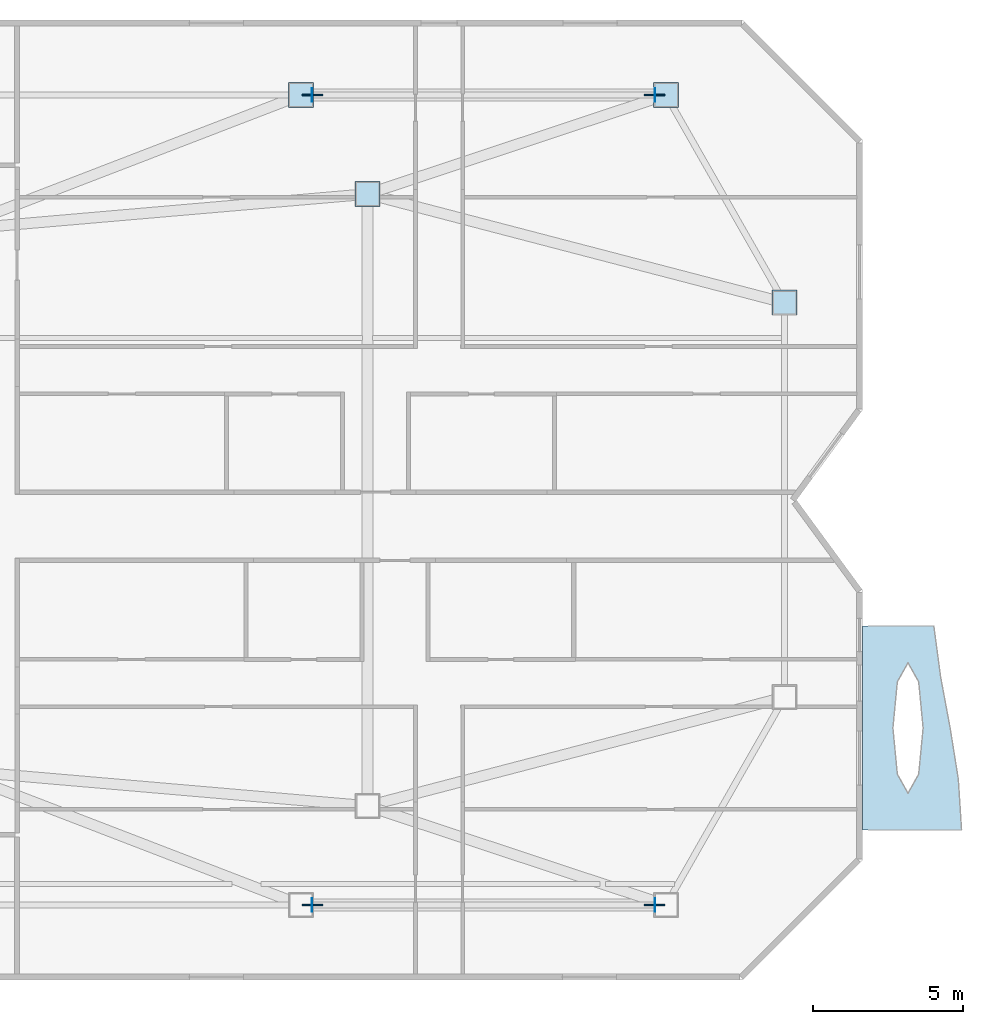
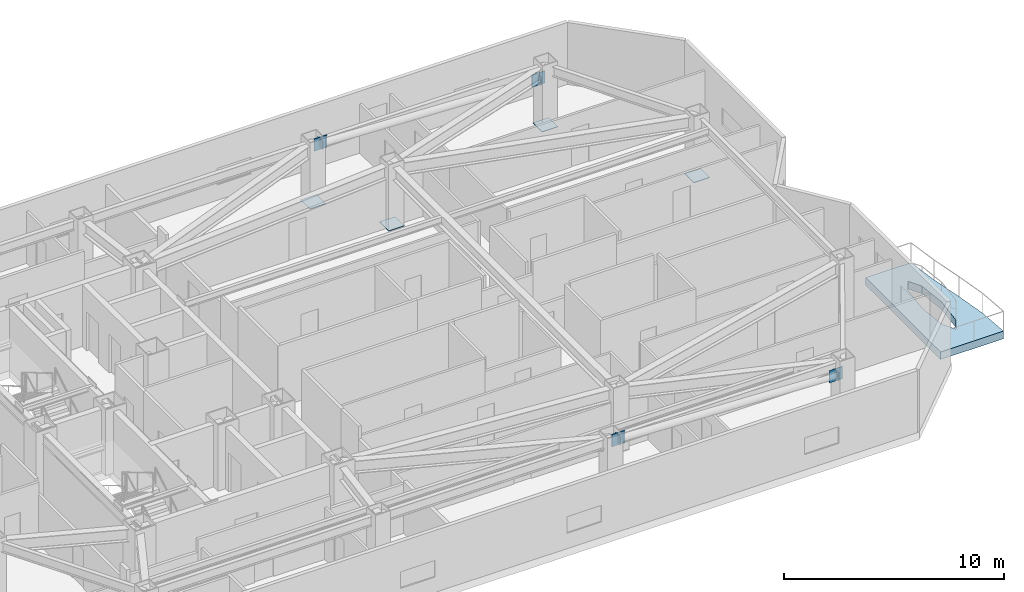
# One storey, part 3 of 10: 12 plates, 1 slab.
"""IFC4 building model written with IfcOpenShell, lengths in metres."""

from ifc_helpers import new_model, si_unit, direction, frame, origin, origin_2d, place, context, subcontext, project, spatial, polyline, rectangle, outline, extrude, material, layer, layer_set, type_object, element, save


model = new_model("IFC4")

# Units and contexts
model_context = context("Model", 3, precision=1e-05, world=origin(), true_north=direction((0.0, 1.0)))
body_context = subcontext(model_context, "Body", "Model", "MODEL_VIEW")
ifc_project = project(units=[si_unit("LENGTHUNIT", "METRE"), si_unit("AREAUNIT", "SQUARE_METRE"), si_unit("VOLUMEUNIT", "CUBIC_METRE"), si_unit("PLANEANGLEUNIT", "RADIAN"), si_unit("MASSUNIT", "GRAM", prefix="KILO")], contexts=[model_context])

# Site, building, storey
site_placement = place(None, origin())
site = spatial("IfcSite", under=ifc_project, at=site_placement, CompositionType="ELEMENT")
building_placement = place(site_placement, origin())
building = spatial("IfcBuilding", under=site, at=building_placement, Name="Khamvora Tower", CompositionType="ELEMENT")
storey_placement = place(building_placement, frame((0.0, 0.0, 217.199951171875)))
storey = spatial("IfcBuildingStorey", under=building, at=storey_placement, Name="L55", CompositionType="ELEMENT", Elevation=217.199951171875)

# Plates
ifc_material_1 = material(Name="Steel S355", Category="steel")
ifc_layer_1 = layer(ifc_material_1, 0.02490234375)
ifc_layer_set_1 = layer_set([ifc_layer_1], Name="Steel S355")
plate_type_1 = type_object("IfcPlateType", Name="PL-CAP-25", PredefinedType="SHEET", material=ifc_layer_set_1)
for number, where, z_axis, x_axis, name in (
    (1, (51.080078125, 41.5, -0.00048828125), (0.0, 0.0, 1.0), (1.0, 0.0, 0.0), "L55 hollow section steel end cap plate 0242"),
    (2, (63.25, 41.5, -0.00048828125), (0.0, 0.0, 1.0), (1.0, 0.0, 0.0), "L55 hollow section steel end cap plate 0244"),
    (3, (67.199951171875, 34.580078125, -0.00048828125), (0.0, 0.0, 1.0), (1.0, 0.0, 0.0), "L55 hollow section steel end cap plate 0252"),
    (4, (53.300048828125, 38.199951171875, -0.00048828125), (0.0, 0.0, 1.0), (1.0, 0.0, 0.0), "L55 hollow section steel end cap plate 0256"),
):
    element("IfcPlate", number, at=place(storey_placement, frame(where, z_axis=z_axis, x_axis=x_axis)), inside=storey, type_object=plate_type_1, Name=name, PredefinedType="SHEET", context=body_context, shape_type="SweptSolid", body=[
        extrude(rectangle(XDim=0.830078125, YDim=0.830078125, at=origin_2d()), origin(), (0.0, 0.0, 1.0), 0.02490234375),
    ])
for number, where, z_axis, x_axis, name in (
    (5, (62.882080078125, 14.5, 2.4619140625), (0.0, 0.0, 1.0), (-1.0, 0.0, 0.0), "L55 hollow section steel end cap plate 1130"),
    (6, (51.450927734375, 14.5, 2.9150390625), (0.0, 0.0, 1.0), (-1.0, 0.0, 0.0), "L55 hollow section steel end cap plate 1131"),
    (7, (62.882080078125, 41.5, 2.4619140625), (0.0, 0.0, 1.0), (-1.0, 0.0, 0.0), "L55 hollow section steel end cap plate 1132"),
    (8, (51.450927734375, 41.5, 2.9150390625), (0.0, 0.0, 1.0), (-1.0, 0.0, 0.0), "L55 hollow section steel end cap plate 1133"),
):
    element("IfcPlate", number, at=place(storey_placement, frame(where, z_axis=z_axis, x_axis=x_axis)), inside=storey, type_object=plate_type_1, Name=name, PredefinedType="SHEET", context=body_context, shape_type="SweptSolid", body=[
        extrude(rectangle(XDim=0.02490234375, YDim=0.466064453125, at=origin_2d()), origin(), (0.0, 0.0, 1.0), 0.466064453125),
    ])
ifc_material_2 = material(Name="Steel S460", Category="steel")
ifc_layer_2 = layer(ifc_material_2, 0.0400390625)
ifc_layer_set_2 = layer_set([ifc_layer_2], Name="Steel S460")
plate_type_2 = type_object("IfcPlateType", Name="PLT-GUS-40", PredefinedType="SHEET", material=ifc_layer_set_2)
for number, where, z_axis, x_axis, name in (
    (9, (62.8701171875, 14.5, 2.35498046875), (0.0, 0.0, 1.0), (1.0, 0.0, 0.0), "L55 brace connection node gusset plate 0373"),
    (10, (51.462890625, 14.5, 2.80810546875), (0.0, 0.0, 1.0), (1.0, 0.0, 0.0), "L55 brace connection node gusset plate 0374"),
    (11, (62.8701171875, 41.5, 2.35498046875), (0.0, 0.0, 1.0), (1.0, 0.0, 0.0), "L55 brace connection node gusset plate 0375"),
    (12, (51.462890625, 41.5, 2.80810546875), (0.0, 0.0, 1.0), (1.0, 0.0, 0.0), "L55 brace connection node gusset plate 0376"),
):
    element("IfcPlate", number, at=place(storey_placement, frame(where, z_axis=z_axis, x_axis=x_axis)), inside=storey, type_object=plate_type_2, Name=name, PredefinedType="SHEET", context=body_context, shape_type="SweptSolid", body=[
        extrude(rectangle(XDim=0.679931640625, YDim=0.0400390625, at=origin_2d()), origin(), (0.0, 0.0, 1.0), 0.679931640625),
    ])

# Slab
ifc_material_3 = material(Name="Concrete C40/50", Category="concrete")
ifc_layer_3 = layer(ifc_material_3, 0.419921875)
ifc_layer_set_3 = layer_set([ifc_layer_3], Name="Concrete C40/50")
slab_type = type_object("IfcSlabType", Name="SLB-GRD-420", PredefinedType="FLOOR", material=ifc_layer_set_3)
slab_placement = place(storey_placement, frame((0.0, 0.0, -0.419921875)))
element("IfcSlab", 13, at=slab_placement, inside=storey, type_object=slab_type, Name="L55 external lens gallery slab EL1", PredefinedType="FLOOR", context=body_context, shape_type="SweptSolid", body=[
    extrude(outline(polyline([(73.10009765625, 17.0), (72.990966796875, 18.699951171875), (72.718994140625, 20.39990234375), (72.402099609375, 22.10009765625), (72.175048828125, 23.800048828125), (69.800048828125, 23.800048828125), (69.800048828125, 17.0), (73.10009765625, 17.0)]), holes=[polyline([(71.819091796875, 20.39990234375), (71.6708984375, 21.93896484375), (71.31494140625, 22.575927734375), (70.958984375, 21.93896484375), (70.81103515625, 20.39990234375), (70.958984375, 18.861083984375), (71.31494140625, 18.22412109375), (71.6708984375, 18.861083984375), (71.819091796875, 20.39990234375)])]), origin(), (0.0, 0.0, 1.0), 0.419921875),
])

save(model, "model.ifc")
